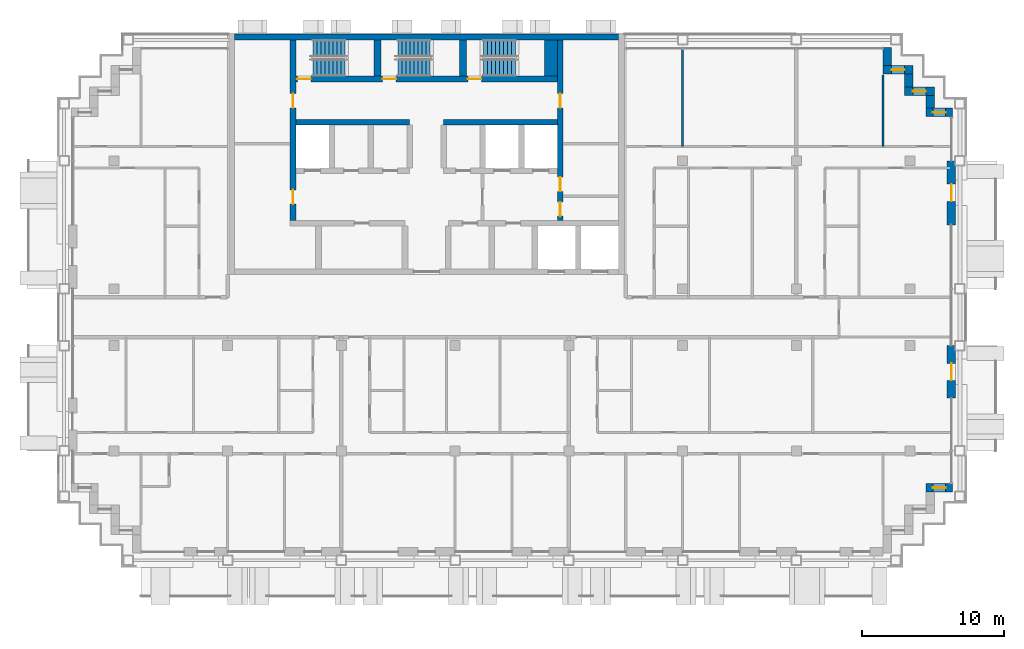
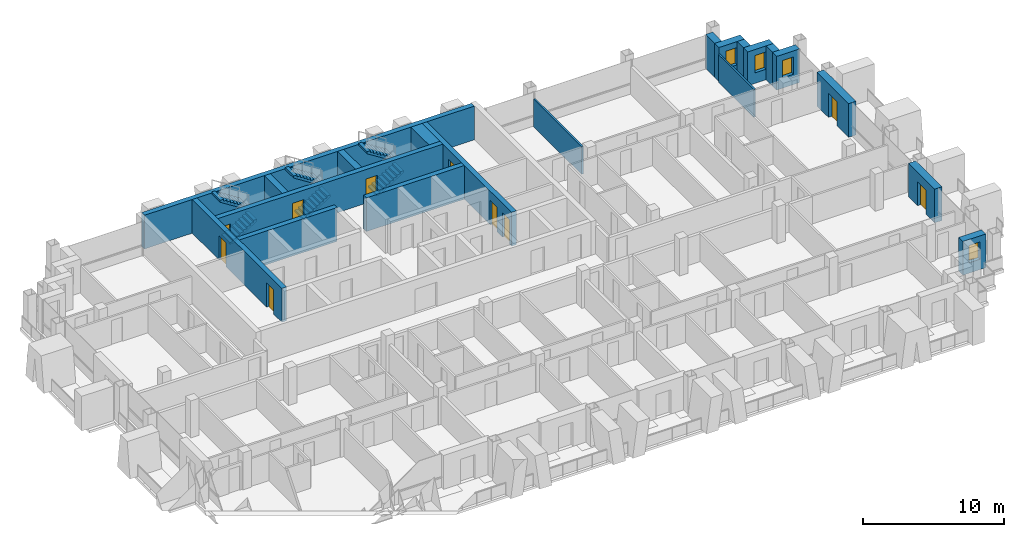
# One storey, part 12 of 16: 20 walls, 10 doors, 6 stair flights, 4 windows, 14 openings, 3 elements without a shape of their own.
"""IFC4 building model written with IfcOpenShell, lengths in metres."""

from ifc_helpers import new_model, si_unit, direction, frame, frame_2d, origin, place, context, subcontext, project, spatial, polyline, rectangle, outline, extrude, material, layer, layer_set, type_object, element, fill, aggregate, save


model = new_model("IFC4")

# Units and contexts
model_context = context("Model", 3, precision=1e-05, world=origin(), true_north=direction((0.0, 1.0)))
body_context = subcontext(model_context, "Body", "Model", "MODEL_VIEW")
ifc_project = project(units=[si_unit("LENGTHUNIT", "METRE"), si_unit("AREAUNIT", "SQUARE_METRE"), si_unit("VOLUMEUNIT", "CUBIC_METRE"), si_unit("PLANEANGLEUNIT", "RADIAN"), si_unit("MASSUNIT", "GRAM", prefix="KILO")], contexts=[model_context])

# Site, building, storey
site_placement = place(None, origin())
site = spatial("IfcSite", under=ifc_project, at=site_placement, CompositionType="ELEMENT")
building_placement = place(site_placement, origin())
building = spatial("IfcBuilding", under=site, at=building_placement, Name="Vidyagriha Tower", CompositionType="ELEMENT")
storey_placement = place(building_placement, frame((0.0, 0.0, 171.699951171875)))
storey = spatial("IfcBuildingStorey", under=building, at=storey_placement, Name="L44", CompositionType="ELEMENT", Elevation=171.699951171875)

# Wall, opening, window
ifc_material_1 = material(Name="Precast concrete C40/50 with brick facing", Category="concrete")
ifc_layer_1 = layer(ifc_material_1, 0.60009765625)
ifc_layer_set_1 = layer_set([ifc_layer_1], Name="Precast concrete C40/50 with brick facing")
wall_type_1 = type_object("IfcWallType", Name="Brick-faced precast wall 600", PredefinedType="STANDARD", material=ifc_layer_set_1)
wall_1_placement = place(storey_placement, frame((36.97998046875, 14.39990234375, 0.0), z_axis=(0.0, 0.0, 1.0), x_axis=(-1.0, 0.0, 0.0)))
wall_1 = element("IfcWall", 1, at=wall_1_placement, inside=storey, type_object=wall_type_1, Name="Stepped corner wall L44 R01", PredefinedType="STANDARD", context=body_context, shape_type="SweptSolid", body=[
    extrude(rectangle(XDim=1.8798828125, YDim=0.60009765625, at=frame_2d((0.93994140625, 0.0))), origin(), (0.0, 0.0, 1.0), 2.920166015625),
])
opening_1_placement = place(wall_1_placement, frame((0.489990234375, 0.0, 0.89990234375)))
opening_1 = element("IfcOpeningElement", 2, at=opening_1_placement, cuts=wall_1, Name="Opening WN1", PredefinedType="OPENING", context=body_context, shape_type="SweptSolid", body=[
    extrude(rectangle(XDim=0.89990234375, YDim=1.5, at=frame_2d((0.449951171875, 0.75))), frame((0.0, 0.31005859375, 0.0), z_axis=(0.0, -1.0, 0.0), x_axis=(1.0, 0.0, 0.0)), (0.0, 0.0, 1.0), 0.6201171875),
])
ifc_material_2 = material(Name="Aluminium and glass window", Category="aluminium")
window_type = type_object("IfcWindowType", Name="Reveal window 900x1500", PartitioningType="NOTDEFINED", PredefinedType="WINDOW", material=ifc_material_2)
window_1_placement = place(opening_1_placement, origin())
window_1 = element("IfcWindow", 3, at=window_1_placement, inside=storey, type_object=window_type, Name="Reveal window L44 R01", OverallHeight=1.5, OverallWidth=0.89990234375, PartitioningType="SINGLE_PANEL", PredefinedType="WINDOW", context=body_context, shape_type="SweptSolid", body=[
    extrude(rectangle(XDim=0.89990234375, YDim=1.5, at=frame_2d((0.449951171875, 0.75))), frame((0.0, 0.030029296875, 0.0), z_axis=(0.0, -1.0, 0.0), x_axis=(1.0, 0.0, 0.0)), (0.0, 0.0, 1.0), 0.06005859375),
])
fill(opening_1, window_1)

# Wall
wall_2_placement = place(storey_placement, frame((35.39990234375, 14.699951171875, 0.0), z_axis=(0.0, 0.0, 1.0), x_axis=(0.0, 1.0, 0.0)))
element("IfcWall", 4, at=wall_2_placement, inside=storey, type_object=wall_type_1, Name="Stepped corner wall L44 R02", PredefinedType="STANDARD", context=body_context, shape_type="SweptSolid", body=[
    extrude(rectangle(XDim=0.900146484375, YDim=0.60009765625, at=frame_2d((0.4501953125, 0.0))), origin(), (0.0, 0.0, 1.0), 2.920166015625),
])

# Wall, opening, window
wall_3_placement = place(storey_placement, frame((35.699951171875, 15.89990234375, 0.0), z_axis=(0.0, 0.0, 1.0), x_axis=(-1.0, 0.0, 0.0)))
wall_3 = element("IfcWall", 5, at=wall_3_placement, inside=storey, type_object=wall_type_1, Name="Stepped corner wall L44 R03", PredefinedType="STANDARD", context=body_context, shape_type="SweptSolid", body=[
    extrude(rectangle(XDim=2.099853515625, YDim=0.60009765625, at=frame_2d((1.0498046875, 0.0))), origin(), (0.0, 0.0, 1.0), 2.920166015625),
])
opening_2_placement = place(wall_3_placement, frame((0.60009765625, 0.0, 0.89990234375)))
opening_2 = element("IfcOpeningElement", 6, at=opening_2_placement, cuts=wall_3, Name="Opening WN1", PredefinedType="OPENING", context=body_context, shape_type="SweptSolid", body=[
    extrude(rectangle(XDim=0.89990234375, YDim=1.5, at=frame_2d((0.449951171875, 0.75))), frame((0.0, 0.31005859375, 0.0), z_axis=(0.0, -1.0, 0.0), x_axis=(1.0, 0.0, 0.0)), (0.0, 0.0, 1.0), 0.6201171875),
])
window_2_placement = place(opening_2_placement, origin())
window_2 = element("IfcWindow", 7, at=window_2_placement, inside=storey, type_object=window_type, Name="Reveal window L44 R03", OverallHeight=1.5, OverallWidth=0.89990234375, PartitioningType="SINGLE_PANEL", PredefinedType="WINDOW", context=body_context, shape_type="SweptSolid", body=[
    extrude(rectangle(XDim=0.89990234375, YDim=1.5, at=frame_2d((0.449951171875, 0.75))), frame((0.0, 0.030029296875, 0.0), z_axis=(0.0, -1.0, 0.0), x_axis=(1.0, 0.0, 0.0)), (0.0, 0.0, 1.0), 0.06005859375),
])
fill(opening_2, window_2)

# Wall
wall_4_placement = place(storey_placement, frame((33.89990234375, 16.199951171875, 0.0), z_axis=(0.0, 0.0, 1.0), x_axis=(0.0, 1.0, 0.0)))
element("IfcWall", 8, at=wall_4_placement, inside=storey, type_object=wall_type_1, Name="Stepped corner wall L44 R04", PredefinedType="STANDARD", context=body_context, shape_type="SweptSolid", body=[
    extrude(rectangle(XDim=0.900146484375, YDim=0.60009765625, at=frame_2d((0.4501953125, 0.0))), origin(), (0.0, 0.0, 1.0), 2.920166015625),
])

# Wall, opening, window
wall_5_placement = place(storey_placement, frame((34.199951171875, 17.39990234375, 0.0), z_axis=(0.0, 0.0, 1.0), x_axis=(-1.0, 0.0, 0.0)))
wall_5 = element("IfcWall", 9, at=wall_5_placement, inside=storey, type_object=wall_type_1, Name="Stepped corner wall L44 R05", PredefinedType="STANDARD", context=body_context, shape_type="SweptSolid", body=[
    extrude(rectangle(XDim=2.099853515625, YDim=0.60009765625, at=frame_2d((1.0498046875, 0.0))), origin(), (0.0, 0.0, 1.0), 2.920166015625),
])
opening_3_placement = place(wall_5_placement, frame((0.60009765625, 0.0, 0.89990234375)))
opening_3 = element("IfcOpeningElement", 10, at=opening_3_placement, cuts=wall_5, Name="Opening WN1", PredefinedType="OPENING", context=body_context, shape_type="SweptSolid", body=[
    extrude(rectangle(XDim=0.89990234375, YDim=1.5, at=frame_2d((0.449951171875, 0.75))), frame((0.0, 0.31005859375, 0.0), z_axis=(0.0, -1.0, 0.0), x_axis=(1.0, 0.0, 0.0)), (0.0, 0.0, 1.0), 0.6201171875),
])
window_3_placement = place(opening_3_placement, origin())
window_3 = element("IfcWindow", 11, at=window_3_placement, inside=storey, type_object=window_type, Name="Reveal window L44 R05", OverallHeight=1.5, OverallWidth=0.89990234375, PartitioningType="SINGLE_PANEL", PredefinedType="WINDOW", context=body_context, shape_type="SweptSolid", body=[
    extrude(rectangle(XDim=0.89990234375, YDim=1.5, at=frame_2d((0.449951171875, 0.75))), frame((0.0, 0.030029296875, 0.0), z_axis=(0.0, -1.0, 0.0), x_axis=(1.0, 0.0, 0.0)), (0.0, 0.0, 1.0), 0.06005859375),
])
fill(opening_3, window_3)

# Wall
wall_6_placement = place(storey_placement, frame((32.39990234375, 17.699951171875, 0.0), z_axis=(0.0, 0.0, 1.0), x_axis=(0.0, 1.0, 0.0)))
element("IfcWall", 12, at=wall_6_placement, inside=storey, type_object=wall_type_1, Name="Stepped corner wall L44 R06", PredefinedType="STANDARD", context=body_context, shape_type="SweptSolid", body=[
    extrude(rectangle(XDim=1.280029296875, YDim=0.60009765625, at=frame_2d((0.64013671875, 0.0))), origin(), (0.0, 0.0, 1.0), 2.920166015625),
])

# Wall, opening, window
wall_7_placement = place(storey_placement, frame((35.10009765625, -12.0, 0.0)))
wall_7 = element("IfcWall", 13, at=wall_7_placement, inside=storey, type_object=wall_type_1, Name="Stepped corner wall L44 R29", PredefinedType="STANDARD", context=body_context, shape_type="SweptSolid", body=[
    extrude(rectangle(XDim=1.8798828125, YDim=0.60009765625, at=frame_2d((0.93994140625, 0.0))), origin(), (0.0, 0.0, 1.0), 2.920166015625),
])
opening_4_placement = place(wall_7_placement, frame((0.489990234375, 0.0, 0.89990234375)))
opening_4 = element("IfcOpeningElement", 14, at=opening_4_placement, cuts=wall_7, Name="Opening WN1", PredefinedType="OPENING", context=body_context, shape_type="SweptSolid", body=[
    extrude(rectangle(XDim=0.89990234375, YDim=1.5, at=frame_2d((0.449951171875, 0.75))), frame((0.0, 0.31005859375, 0.0), z_axis=(0.0, -1.0, 0.0), x_axis=(1.0, 0.0, 0.0)), (0.0, 0.0, 1.0), 0.6201171875),
])
window_4_placement = place(opening_4_placement, origin())
window_4 = element("IfcWindow", 15, at=window_4_placement, inside=storey, type_object=window_type, Name="Reveal window L44 R29", OverallHeight=1.5, OverallWidth=0.89990234375, PartitioningType="SINGLE_PANEL", PredefinedType="WINDOW", context=body_context, shape_type="SweptSolid", body=[
    extrude(rectangle(XDim=0.89990234375, YDim=1.5, at=frame_2d((0.449951171875, 0.75))), frame((0.0, 0.030029296875, 0.0), z_axis=(0.0, -1.0, 0.0), x_axis=(1.0, 0.0, 0.0)), (0.0, 0.0, 1.0), 0.06005859375),
])
fill(opening_4, window_4)

# Wall, opening, door
wall_8_placement = place(storey_placement, frame((36.89990234375, -5.699951171875, 0.0), z_axis=(0.0, 0.0, 1.0), x_axis=(0.0, 1.0, 0.0)))
wall_8 = element("IfcWall", 16, at=wall_8_placement, inside=storey, type_object=wall_type_1, Name="Brick door bay wall L44 R30.3", PredefinedType="STANDARD", context=body_context, shape_type="SweptSolid", body=[
    extrude(rectangle(XDim=3.699951171875, YDim=0.60009765625, at=frame_2d((1.85009765625, 0.0))), origin(), (0.0, 0.0, 1.0), 2.920166015625),
])
opening_5_placement = place(wall_8_placement, frame((1.25, 0.0, 0.0)))
opening_5 = element("IfcOpeningElement", 17, at=opening_5_placement, cuts=wall_8, Name="Opening D44-77", PredefinedType="OPENING", context=body_context, shape_type="SweptSolid", body=[
    extrude(rectangle(XDim=1.199951171875, YDim=2.10009765625, at=frame_2d((0.60009765625, 1.050048828125))), frame((0.0, 0.31005859375, 0.0), z_axis=(0.0, -1.0, 0.0), x_axis=(1.0, 0.0, 0.0)), (0.0, 0.0, 1.0), 0.6201171875),
])
ifc_material_3 = material(Name="Aluminium framed glazed sliding door", Category="aluminium")
door_type_1 = type_object("IfcDoorType", Name="Balcony sliding door 1200x2100", OperationType="NOTDEFINED", PredefinedType="DOOR", material=ifc_material_3)
door_1_placement = place(opening_5_placement, origin())
door_1 = element("IfcDoor", 18, at=door_1_placement, inside=storey, type_object=door_type_1, Name="Door D44-77", OperationType="SLIDING_TO_LEFT", OverallHeight=2.10009765625, OverallWidth=1.199951171875, PredefinedType="DOOR", context=body_context, shape_type="SweptSolid", body=[
    extrude(rectangle(XDim=1.199951171875, YDim=2.10009765625, at=frame_2d((0.60009765625, 1.050048828125))), frame((0.0, 0.02490234375, 0.0), z_axis=(0.0, -1.0, 0.0), x_axis=(1.0, 0.0, 0.0)), (0.0, 0.0, 1.0), 0.050048828125),
])
fill(opening_5, door_1)

wall_9_placement = place(storey_placement, frame((36.89990234375, 6.5, 0.0), z_axis=(0.0, 0.0, 1.0), x_axis=(0.0, 1.0, 0.0)))
wall_9 = element("IfcWall", 19, at=wall_9_placement, inside=storey, type_object=wall_type_1, Name="Brick door bay wall L44 R30.6", PredefinedType="STANDARD", context=body_context, shape_type="SweptSolid", body=[
    extrude(rectangle(XDim=4.5, YDim=0.60009765625, at=frame_2d((2.25, 0.0))), origin(), (0.0, 0.0, 1.0), 2.920166015625),
])
opening_6_placement = place(wall_9_placement, frame((1.64990234375, 0.0, 0.0)))
opening_6 = element("IfcOpeningElement", 20, at=opening_6_placement, cuts=wall_9, Name="Opening D44-78", PredefinedType="OPENING", context=body_context, shape_type="SweptSolid", body=[
    extrude(rectangle(XDim=1.199951171875, YDim=2.10009765625, at=frame_2d((0.60009765625, 1.050048828125))), frame((0.0, 0.31005859375, 0.0), z_axis=(0.0, -1.0, 0.0), x_axis=(1.0, 0.0, 0.0)), (0.0, 0.0, 1.0), 0.6201171875),
])
door_2_placement = place(opening_6_placement, origin())
door_2 = element("IfcDoor", 21, at=door_2_placement, inside=storey, type_object=door_type_1, Name="Door D44-78", OperationType="SLIDING_TO_LEFT", OverallHeight=2.10009765625, OverallWidth=1.199951171875, PredefinedType="DOOR", context=body_context, shape_type="SweptSolid", body=[
    extrude(rectangle(XDim=1.199951171875, YDim=2.10009765625, at=frame_2d((0.60009765625, 1.050048828125))), frame((0.0, 0.02490234375, 0.0), z_axis=(0.0, -1.0, 0.0), x_axis=(1.0, 0.0, 0.0)), (0.0, 0.0, 1.0), 0.050048828125),
])
fill(opening_6, door_2)

# Wall
ifc_material_4 = material(Name="Concrete C60/75", Category="concrete")
ifc_layer_2 = layer(ifc_material_4, 0.39990234375)
ifc_layer_set_2 = layer_set([ifc_layer_2], Name="Concrete C60/75")
wall_type_2 = type_object("IfcWallType", Name="Core shear wall 400 mm", PredefinedType="SHEAR", material=ifc_layer_set_2)
wall_10_placement = place(storey_placement, frame((-13.5, 19.699951171875, 0.0)))
element("IfcWall", 22, at=wall_10_placement, inside=storey, type_object=wall_type_2, Name="Core north wall", PredefinedType="SHEAR", context=body_context, shape_type="SweptSolid", body=[
    extrude(rectangle(XDim=27.0, YDim=0.39990234375, at=frame_2d((13.5, 0.0))), origin(), (0.0, 0.0, 1.0), 2.920166015625),
])

# Wall, openings, doors
wall_11_placement = place(storey_placement, frame((-9.39990234375, 6.800048828125, 0.0), z_axis=(0.0, 0.0, 1.0), x_axis=(0.0, 1.0, 0.0)))
wall_11 = element("IfcWall", 23, at=wall_11_placement, inside=storey, type_object=wall_type_2, Name="Core west spine wall", PredefinedType="SHEAR", context=body_context, shape_type="SweptSolid", body=[
    extrude(rectangle(XDim=12.699951171875, YDim=0.39990234375, at=frame_2d((6.35009765625, 0.0))), origin(), (0.0, 0.0, 1.0), 2.920166015625),
])
opening_7_placement = place(wall_11_placement, frame((1.14990234375, 0.0, 0.0)))
opening_7 = element("IfcOpeningElement", 24, at=opening_7_placement, cuts=wall_11, Name="Opening D44-12", PredefinedType="OPENING", context=body_context, shape_type="SweptSolid", body=[
    extrude(rectangle(XDim=1.0, YDim=2.10009765625, at=frame_2d((0.5, 1.050048828125))), frame((0.0, 0.2099609375, 0.0), z_axis=(0.0, -1.0, 0.0), x_axis=(1.0, 0.0, 0.0)), (0.0, 0.0, 1.0), 0.419921875),
])
opening_8_placement = place(wall_11_placement, frame((7.925048828125, 0.0, 0.0)))
opening_8 = element("IfcOpeningElement", 25, at=opening_8_placement, cuts=wall_11, Name="Opening D44-13", PredefinedType="OPENING", context=body_context, shape_type="SweptSolid", body=[
    extrude(rectangle(XDim=1.0, YDim=2.10009765625, at=frame_2d((0.5, 1.050048828125))), frame((0.0, 0.2099609375, 0.0), z_axis=(0.0, -1.0, 0.0), x_axis=(1.0, 0.0, 0.0)), (0.0, 0.0, 1.0), 0.419921875),
])
ifc_material_5 = material(Name="Hollow metal door leaf")
door_type_2 = type_object("IfcDoorType", Name="Core room door 1000 x 2100 mm EI 60", OperationType="NOTDEFINED", PredefinedType="DOOR", material=ifc_material_5)
door_3_placement = place(opening_7_placement, frame((1.0, 0.0, 0.0), z_axis=(0.0, 0.0, 1.0), x_axis=(-1.0, 0.0, 0.0)))
door_3 = element("IfcDoor", 26, at=door_3_placement, inside=storey, type_object=door_type_2, Name="Door Communications Room 44.W1", OperationType="SINGLE_SWING_RIGHT", OverallHeight=2.10009765625, OverallWidth=1.0, PredefinedType="DOOR", context=body_context, shape_type="SweptSolid", body=[
    extrude(rectangle(XDim=1.0, YDim=2.10009765625, at=frame_2d((0.5, 1.050048828125))), frame((0.0, 0.02490234375, 0.0), z_axis=(0.0, -1.0, 0.0), x_axis=(1.0, 0.0, 0.0)), (0.0, 0.0, 1.0), 0.050048828125),
])
fill(opening_7, door_3)
door_4_placement = place(opening_8_placement, frame((1.0, 0.0, 0.0), z_axis=(0.0, 0.0, 1.0), x_axis=(-1.0, 0.0, 0.0)))
door_4 = element("IfcDoor", 27, at=door_4_placement, inside=storey, type_object=door_type_2, Name="Door Riser Room 44.W2", OperationType="SINGLE_SWING_LEFT", OverallHeight=2.10009765625, OverallWidth=1.0, PredefinedType="DOOR", context=body_context, shape_type="SweptSolid", body=[
    extrude(rectangle(XDim=1.0, YDim=2.10009765625, at=frame_2d((0.5, 1.050048828125))), frame((0.0, 0.02490234375, 0.0), z_axis=(0.0, -1.0, 0.0), x_axis=(1.0, 0.0, 0.0)), (0.0, 0.0, 1.0), 0.050048828125),
])
fill(opening_8, door_4)

wall_12_placement = place(storey_placement, frame((9.39990234375, 6.800048828125, 0.0), z_axis=(0.0, 0.0, 1.0), x_axis=(0.0, 1.0, 0.0)))
wall_12 = element("IfcWall", 28, at=wall_12_placement, inside=storey, type_object=wall_type_2, Name="Core east spine wall", PredefinedType="SHEAR", context=body_context, shape_type="SweptSolid", body=[
    extrude(rectangle(XDim=12.699951171875, YDim=0.39990234375, at=frame_2d((6.35009765625, 0.0))), origin(), (0.0, 0.0, 1.0), 2.920166015625),
])
opening_9_placement = place(wall_12_placement, frame((0.300048828125, 0.0, 0.0)))
opening_9 = element("IfcOpeningElement", 29, at=opening_9_placement, cuts=wall_12, Name="Opening D44-14", PredefinedType="OPENING", context=body_context, shape_type="SweptSolid", body=[
    extrude(rectangle(XDim=1.0, YDim=2.10009765625, at=frame_2d((0.5, 1.050048828125))), frame((0.0, 0.2099609375, 0.0), z_axis=(0.0, -1.0, 0.0), x_axis=(1.0, 0.0, 0.0)), (0.0, 0.0, 1.0), 0.419921875),
])
opening_10_placement = place(wall_12_placement, frame((2.050048828125, 0.0, 0.0)))
opening_10 = element("IfcOpeningElement", 30, at=opening_10_placement, cuts=wall_12, Name="Opening D44-15", PredefinedType="OPENING", context=body_context, shape_type="SweptSolid", body=[
    extrude(rectangle(XDim=1.0, YDim=2.10009765625, at=frame_2d((0.5, 1.050048828125))), frame((0.0, 0.2099609375, 0.0), z_axis=(0.0, -1.0, 0.0), x_axis=(1.0, 0.0, 0.0)), (0.0, 0.0, 1.0), 0.419921875),
])
opening_11_placement = place(wall_12_placement, frame((7.925048828125, 0.0, 0.0)))
opening_11 = element("IfcOpeningElement", 31, at=opening_11_placement, cuts=wall_12, Name="Opening D44-16", PredefinedType="OPENING", context=body_context, shape_type="SweptSolid", body=[
    extrude(rectangle(XDim=1.0, YDim=2.10009765625, at=frame_2d((0.5, 1.050048828125))), frame((0.0, 0.2099609375, 0.0), z_axis=(0.0, -1.0, 0.0), x_axis=(1.0, 0.0, 0.0)), (0.0, 0.0, 1.0), 0.419921875),
])
door_5_placement = place(opening_9_placement, origin())
door_5 = element("IfcDoor", 32, at=door_5_placement, inside=storey, type_object=door_type_2, Name="Door Refuse Room 44.E1", OperationType="SINGLE_SWING_RIGHT", OverallHeight=2.10009765625, OverallWidth=1.0, PredefinedType="DOOR", context=body_context, shape_type="SweptSolid", body=[
    extrude(rectangle(XDim=1.0, YDim=2.10009765625, at=frame_2d((0.5, 1.050048828125))), frame((0.0, 0.02490234375, 0.0), z_axis=(0.0, -1.0, 0.0), x_axis=(1.0, 0.0, 0.0)), (0.0, 0.0, 1.0), 0.050048828125),
])
fill(opening_9, door_5)
door_6_placement = place(opening_10_placement, origin())
door_6 = element("IfcDoor", 33, at=door_6_placement, inside=storey, type_object=door_type_2, Name="Door Mechanical Riser Room 44.E2", OperationType="SINGLE_SWING_LEFT", OverallHeight=2.10009765625, OverallWidth=1.0, PredefinedType="DOOR", context=body_context, shape_type="SweptSolid", body=[
    extrude(rectangle(XDim=1.0, YDim=2.10009765625, at=frame_2d((0.5, 1.050048828125))), frame((0.0, 0.02490234375, 0.0), z_axis=(0.0, -1.0, 0.0), x_axis=(1.0, 0.0, 0.0)), (0.0, 0.0, 1.0), 0.050048828125),
])
fill(opening_10, door_6)
door_7_placement = place(opening_11_placement, origin())
door_7 = element("IfcDoor", 34, at=door_7_placement, inside=storey, type_object=door_type_2, Name="Door Electrical Room 44.E3", OperationType="SINGLE_SWING_LEFT", OverallHeight=2.10009765625, OverallWidth=1.0, PredefinedType="DOOR", context=body_context, shape_type="SweptSolid", body=[
    extrude(rectangle(XDim=1.0, YDim=2.10009765625, at=frame_2d((0.5, 1.050048828125))), frame((0.0, 0.02490234375, 0.0), z_axis=(0.0, -1.0, 0.0), x_axis=(1.0, 0.0, 0.0)), (0.0, 0.0, 1.0), 0.050048828125),
])
fill(opening_11, door_7)

# Walls
for number, where, name in (
    (35, (-9.199951171875, 13.699951171875, 0.0), "Core row N rear wall"),
    (36, (1.199951171875, 13.699951171875, 0.0), "Core row N rear wall"),
):
    element("IfcWall", number, at=place(storey_placement, frame(where)), inside=storey, type_object=wall_type_2, Name=name, PredefinedType="SHEAR", context=body_context, shape_type="SweptSolid", body=[
        extrude(rectangle(XDim=8.0, YDim=0.39990234375, at=frame_2d((4.0, 0.0))), origin(), (0.0, 0.0, 1.0), 2.920166015625),
    ])

# Wall, openings, doors
wall_13_placement = place(storey_placement, frame((-9.199951171875, 16.75, 0.0)))
wall_13 = element("IfcWall", 37, at=wall_13_placement, inside=storey, type_object=wall_type_2, Name="Stair front wall", PredefinedType="SHEAR", context=body_context, shape_type="SweptSolid", body=[
    extrude(rectangle(XDim=18.39990234375, YDim=0.39990234375, at=frame_2d((9.199951171875, 0.0))), origin(), (0.0, 0.0, 1.0), 2.920166015625),
])
opening_12_placement = place(wall_13_placement, frame((0.10009765625, 0.0, 0.0)))
opening_12 = element("IfcOpeningElement", 38, at=opening_12_placement, cuts=wall_13, Name="Opening D44-09", PredefinedType="OPENING", context=body_context, shape_type="SweptSolid", body=[
    extrude(rectangle(XDim=0.949951171875, YDim=2.10009765625, at=frame_2d((0.47509765625, 1.050048828125))), frame((0.0, 0.2099609375, 0.0), z_axis=(0.0, -1.0, 0.0), x_axis=(1.0, 0.0, 0.0)), (0.0, 0.0, 1.0), 0.419921875),
])
opening_13_placement = place(wall_13_placement, frame((6.10009765625, 0.0, 0.0)))
opening_13 = element("IfcOpeningElement", 39, at=opening_13_placement, cuts=wall_13, Name="Opening D44-10", PredefinedType="OPENING", context=body_context, shape_type="SweptSolid", body=[
    extrude(rectangle(XDim=0.949951171875, YDim=2.10009765625, at=frame_2d((0.47509765625, 1.050048828125))), frame((0.0, 0.2099609375, 0.0), z_axis=(0.0, -1.0, 0.0), x_axis=(1.0, 0.0, 0.0)), (0.0, 0.0, 1.0), 0.419921875),
])
opening_14_placement = place(wall_13_placement, frame((12.10009765625, 0.0, 0.0)))
opening_14 = element("IfcOpeningElement", 40, at=opening_14_placement, cuts=wall_13, Name="Opening D44-11", PredefinedType="OPENING", context=body_context, shape_type="SweptSolid", body=[
    extrude(rectangle(XDim=0.949951171875, YDim=2.10009765625, at=frame_2d((0.47509765625, 1.050048828125))), frame((0.0, 0.2099609375, 0.0), z_axis=(0.0, -1.0, 0.0), x_axis=(1.0, 0.0, 0.0)), (0.0, 0.0, 1.0), 0.419921875),
])
ifc_material_6 = material(Name="Hollow metal door leaf")
door_type_3 = type_object("IfcDoorType", Name="Exit stair door 950 x 2100 mm EI 90", OperationType="NOTDEFINED", PredefinedType="DOOR", material=ifc_material_6)
door_8_placement = place(opening_12_placement, origin())
door_8 = element("IfcDoor", 41, at=door_8_placement, inside=storey, type_object=door_type_3, Name="Stair door ST1 L44", OperationType="SINGLE_SWING_LEFT", OverallHeight=2.10009765625, OverallWidth=0.949951171875, PredefinedType="DOOR", context=body_context, shape_type="SweptSolid", body=[
    extrude(rectangle(XDim=0.949951171875, YDim=2.10009765625, at=frame_2d((0.47509765625, 1.050048828125))), frame((0.0, 0.02490234375, 0.0), z_axis=(0.0, -1.0, 0.0), x_axis=(1.0, 0.0, 0.0)), (0.0, 0.0, 1.0), 0.050048828125),
])
fill(opening_12, door_8)
door_9_placement = place(opening_13_placement, origin())
door_9 = element("IfcDoor", 42, at=door_9_placement, inside=storey, type_object=door_type_3, Name="Stair door ST2 L44", OperationType="SINGLE_SWING_LEFT", OverallHeight=2.10009765625, OverallWidth=0.949951171875, PredefinedType="DOOR", context=body_context, shape_type="SweptSolid", body=[
    extrude(rectangle(XDim=0.949951171875, YDim=2.10009765625, at=frame_2d((0.47509765625, 1.050048828125))), frame((0.0, 0.02490234375, 0.0), z_axis=(0.0, -1.0, 0.0), x_axis=(1.0, 0.0, 0.0)), (0.0, 0.0, 1.0), 0.050048828125),
])
fill(opening_13, door_9)
door_10_placement = place(opening_14_placement, origin())
door_10 = element("IfcDoor", 43, at=door_10_placement, inside=storey, type_object=door_type_3, Name="Stair door ST3 L44", OperationType="SINGLE_SWING_LEFT", OverallHeight=2.10009765625, OverallWidth=0.949951171875, PredefinedType="DOOR", context=body_context, shape_type="SweptSolid", body=[
    extrude(rectangle(XDim=0.949951171875, YDim=2.10009765625, at=frame_2d((0.47509765625, 1.050048828125))), frame((0.0, 0.02490234375, 0.0), z_axis=(0.0, -1.0, 0.0), x_axis=(1.0, 0.0, 0.0)), (0.0, 0.0, 1.0), 0.050048828125),
])
fill(opening_14, door_10)

# Walls
ifc_material_7 = material(Name="Concrete C60/75", Category="concrete")
ifc_layer_3 = layer(ifc_material_7, 0.5)
ifc_layer_set_3 = layer_set([ifc_layer_3], Name="Concrete C60/75")
wall_type_3 = type_object("IfcWallType", Name="Core shear wall 500 mm", PredefinedType="SHEAR", material=ifc_layer_set_3)
for number, where, z_axis, x_axis, name in (
    (44, (-3.449951171875, 16.949951171875, 0.0), (0.0, 0.0, 1.0), (0.0, 1.0, 0.0), "Stair partition wall 1"),
    (45, (2.550048828125, 16.949951171875, 0.0), (0.0, 0.0, 1.0), (0.0, 1.0, 0.0), "Stair partition wall 2"),
):
    element("IfcWall", number, at=place(storey_placement, frame(where, z_axis=z_axis, x_axis=x_axis)), inside=storey, type_object=wall_type_3, Name=name, PredefinedType="SHEAR", context=body_context, shape_type="SweptSolid", body=[
        extrude(rectangle(XDim=2.550048828125, YDim=0.5, at=frame_2d((1.27490234375, 0.0))), origin(), (0.0, 0.0, 1.0), 2.920166015625),
    ])
ifc_material_8 = material(Name="Concrete C60/75", Category="concrete")
ifc_layer_4 = layer(ifc_material_8, 0.89990234375)
ifc_layer_set_4 = layer_set([ifc_layer_4], Name="Concrete C60/75")
wall_type_4 = type_object("IfcWallType", Name="Core shear wall 900 mm", PredefinedType="SHEAR", material=ifc_layer_set_4)
wall_14_placement = place(storey_placement, frame((8.75, 16.949951171875, 0.0), z_axis=(0.0, 0.0, 1.0), x_axis=(0.0, 1.0, 0.0)))
element("IfcWall", 46, at=wall_14_placement, inside=storey, type_object=wall_type_4, Name="Stair end wall", PredefinedType="SHEAR", context=body_context, shape_type="SweptSolid", body=[
    extrude(rectangle(XDim=2.550048828125, YDim=0.89990234375, at=frame_2d((1.27490234375, 0.0))), origin(), (0.0, 0.0, 1.0), 2.920166015625),
])
ifc_material_9 = material(Name="Gypsum board partition")
ifc_layer_5 = layer(ifc_material_9, 0.14990234375)
ifc_layer_set_5 = layer_set([ifc_layer_5], Name="Gypsum board partition")
wall_type_5 = type_object("IfcWallType", Name="Gypsum board partition 150", PredefinedType="PARTITIONING", material=ifc_layer_set_5)
wall_15_placement = place(storey_placement, frame((18.0, 18.821044921875, 0.0), z_axis=(0.0, 0.0, 1.0), x_axis=(0.0, -1.0, 0.0)))
element("IfcWall", 47, at=wall_15_placement, inside=storey, type_object=wall_type_5, Name="Wall all-L44-w094", PredefinedType="PARTITIONING", context=body_context, shape_type="SweptSolid", body=[
    extrude(rectangle(XDim=6.821044921875, YDim=0.14990234375, at=frame_2d((3.41064453125, 0.0))), origin(), (0.0, 0.0, 1.0), 2.400146484375),
])
wall_16_placement = place(storey_placement, frame((32.10009765625, 17.02001953125, 0.0), z_axis=(0.0, 0.0, 1.0), x_axis=(0.0, -1.0, 0.0)))
element("IfcWall", 48, at=wall_16_placement, inside=storey, type_object=wall_type_5, Name="Wall all-L44-w106", PredefinedType="PARTITIONING", context=body_context, shape_type="SweptSolid", body=[
    extrude(rectangle(XDim=5.02001953125, YDim=0.14990234375, at=frame_2d((2.510009765625, 0.0))), origin(), (0.0, 0.0, 1.0), 2.400146484375),
])

# Stair, stair flights
ifc_material_10 = material(Name="Concrete C40/50", Category="concrete")
stair_type = type_object("IfcStairType", Name="Exit stair, half-turn, precast flights", PredefinedType="HALF_TURN_STAIR", material=ifc_material_10)
stair_1_placement = place(storey_placement, origin())
stair_1 = element("IfcStair", 49, at=stair_1_placement, inside=storey, type_object=stair_type, Name="L44 Exit Stair ST1", PredefinedType="HALF_TURN_STAIR")
ifc_material_11 = material(Name="Precast concrete C40/50", Category="concrete")
stair_flight_type = type_object("IfcStairFlightType", Name="Exit stair flight 1200 mm, precast", PredefinedType="STRAIGHT", material=ifc_material_11)
stair_flight_1_placement = place(storey_placement, frame((-8.0, 17.550048828125, 0.0)))
stair_flight_1 = element("IfcStairFlight", 50, at=stair_flight_1_placement, type_object=stair_flight_type, Name="ST1 flight 1", NumberOfRisers=9, NumberOfTreads=8, PredefinedType="STRAIGHT", RiserHeight=0.177777778, TreadLength=0.28, context=body_context, shape_type="SweptSolid", body=[
    extrude(outline(polyline([(0.0, 0.0), (0.0, 0.177734375), (0.280029296875, 0.177734375), (0.280029296875, 0.35546875), (0.56005859375, 0.35546875), (0.56005859375, 0.533447265625), (0.840087890625, 0.533447265625), (0.840087890625, 0.711181640625), (1.1201171875, 0.711181640625), (1.1201171875, 0.888916015625), (1.39990234375, 0.888916015625), (1.39990234375, 1.066650390625), (1.679931640625, 1.066650390625), (1.679931640625, 1.244384765625), (1.9599609375, 1.244384765625), (1.9599609375, 1.422119140625), (2.239990234375, 1.422119140625), (2.239990234375, 1.60009765625), (2.239990234375, 1.24462890625), (0.27978515625, 0.0), (0.0, 0.0)])), frame((0.0, 0.60009765625, 0.0), z_axis=(0.0, -1.0, 0.0), x_axis=(1.0, 0.0, 0.0)), (0.0, 0.0, 1.0), 1.199951171875),
])
stair_flight_2_placement = place(storey_placement, frame((-5.760009765625, 18.89990234375, 1.60009765625), z_axis=(0.0, 0.0, 1.0), x_axis=(-1.0, 0.0, 0.0)))
stair_flight_2 = element("IfcStairFlight", 51, at=stair_flight_2_placement, type_object=stair_flight_type, Name="ST1 flight 2", NumberOfRisers=9, NumberOfTreads=8, PredefinedType="STRAIGHT", RiserHeight=0.177777778, TreadLength=0.28, context=body_context, shape_type="SweptSolid", body=[
    extrude(outline(polyline([(0.0, 0.0), (0.0, 0.177734375), (0.280029296875, 0.177734375), (0.280029296875, 0.35546875), (0.56005859375, 0.35546875), (0.56005859375, 0.533447265625), (0.840087890625, 0.533447265625), (0.840087890625, 0.711181640625), (1.1201171875, 0.711181640625), (1.1201171875, 0.888916015625), (1.39990234375, 0.888916015625), (1.39990234375, 1.066650390625), (1.679931640625, 1.066650390625), (1.679931640625, 1.244384765625), (1.9599609375, 1.244384765625), (1.9599609375, 1.422119140625), (2.239990234375, 1.422119140625), (2.239990234375, 1.60009765625), (2.239990234375, 1.24462890625), (0.27978515625, 0.0), (0.0, 0.0)])), frame((0.0, 0.60009765625, 0.0), z_axis=(0.0, -1.0, 0.0), x_axis=(1.0, 0.0, 0.0)), (0.0, 0.0, 1.0), 1.199951171875),
])
aggregate(stair_1, [stair_flight_1, stair_flight_2])

stair_2_placement = place(storey_placement, origin())
stair_2 = element("IfcStair", 52, at=stair_2_placement, inside=storey, type_object=stair_type, Name="L44 Exit Stair ST2", PredefinedType="HALF_TURN_STAIR")
stair_flight_3_placement = place(storey_placement, frame((-2.0, 17.550048828125, 0.0)))
stair_flight_3 = element("IfcStairFlight", 53, at=stair_flight_3_placement, type_object=stair_flight_type, Name="ST2 flight 1", NumberOfRisers=9, NumberOfTreads=8, PredefinedType="STRAIGHT", RiserHeight=0.177777778, TreadLength=0.28, context=body_context, shape_type="SweptSolid", body=[
    extrude(outline(polyline([(0.0, 0.0), (0.0, 0.177734375), (0.280029296875, 0.177734375), (0.280029296875, 0.35546875), (0.56005859375, 0.35546875), (0.56005859375, 0.533447265625), (0.840087890625, 0.533447265625), (0.840087890625, 0.711181640625), (1.1201171875, 0.711181640625), (1.1201171875, 0.888916015625), (1.39990234375, 0.888916015625), (1.39990234375, 1.066650390625), (1.679931640625, 1.066650390625), (1.679931640625, 1.244384765625), (1.9599609375, 1.244384765625), (1.9599609375, 1.422119140625), (2.239990234375, 1.422119140625), (2.239990234375, 1.60009765625), (2.239990234375, 1.24462890625), (0.27978515625, 0.0), (0.0, 0.0)])), frame((0.0, 0.60009765625, 0.0), z_axis=(0.0, -1.0, 0.0), x_axis=(1.0, 0.0, 0.0)), (0.0, 0.0, 1.0), 1.199951171875),
])
stair_flight_4_placement = place(storey_placement, frame((0.239990234375, 18.89990234375, 1.60009765625), z_axis=(0.0, 0.0, 1.0), x_axis=(-1.0, 0.0, 0.0)))
stair_flight_4 = element("IfcStairFlight", 54, at=stair_flight_4_placement, type_object=stair_flight_type, Name="ST2 flight 2", NumberOfRisers=9, NumberOfTreads=8, PredefinedType="STRAIGHT", RiserHeight=0.177777778, TreadLength=0.28, context=body_context, shape_type="SweptSolid", body=[
    extrude(outline(polyline([(0.0, 0.0), (0.0, 0.177734375), (0.280029296875, 0.177734375), (0.280029296875, 0.35546875), (0.56005859375, 0.35546875), (0.56005859375, 0.533447265625), (0.840087890625, 0.533447265625), (0.840087890625, 0.711181640625), (1.1201171875, 0.711181640625), (1.1201171875, 0.888916015625), (1.39990234375, 0.888916015625), (1.39990234375, 1.066650390625), (1.679931640625, 1.066650390625), (1.679931640625, 1.244384765625), (1.9599609375, 1.244384765625), (1.9599609375, 1.422119140625), (2.239990234375, 1.422119140625), (2.239990234375, 1.60009765625), (2.239990234375, 1.24462890625), (0.27978515625, 0.0), (0.0, 0.0)])), frame((0.0, 0.60009765625, 0.0), z_axis=(0.0, -1.0, 0.0), x_axis=(1.0, 0.0, 0.0)), (0.0, 0.0, 1.0), 1.199951171875),
])
aggregate(stair_2, [stair_flight_3, stair_flight_4])

stair_3_placement = place(storey_placement, origin())
stair_3 = element("IfcStair", 55, at=stair_3_placement, inside=storey, type_object=stair_type, Name="L44 Exit Stair ST3", PredefinedType="HALF_TURN_STAIR")
stair_flight_5_placement = place(storey_placement, frame((4.0, 17.550048828125, 0.0)))
stair_flight_5 = element("IfcStairFlight", 56, at=stair_flight_5_placement, type_object=stair_flight_type, Name="ST3 flight 1", NumberOfRisers=9, NumberOfTreads=8, PredefinedType="STRAIGHT", RiserHeight=0.177777778, TreadLength=0.28, context=body_context, shape_type="SweptSolid", body=[
    extrude(outline(polyline([(0.0, 0.0), (0.0, 0.177734375), (0.280029296875, 0.177734375), (0.280029296875, 0.35546875), (0.56005859375, 0.35546875), (0.56005859375, 0.533447265625), (0.840087890625, 0.533447265625), (0.840087890625, 0.711181640625), (1.1201171875, 0.711181640625), (1.1201171875, 0.888916015625), (1.39990234375, 0.888916015625), (1.39990234375, 1.066650390625), (1.679931640625, 1.066650390625), (1.679931640625, 1.244384765625), (1.9599609375, 1.244384765625), (1.9599609375, 1.422119140625), (2.239990234375, 1.422119140625), (2.239990234375, 1.60009765625), (2.239990234375, 1.24462890625), (0.27978515625, 0.0), (0.0, 0.0)])), frame((0.0, 0.60009765625, 0.0), z_axis=(0.0, -1.0, 0.0), x_axis=(1.0, 0.0, 0.0)), (0.0, 0.0, 1.0), 1.199951171875),
])
stair_flight_6_placement = place(storey_placement, frame((6.239990234375, 18.89990234375, 1.60009765625), z_axis=(0.0, 0.0, 1.0), x_axis=(-1.0, 0.0, 0.0)))
stair_flight_6 = element("IfcStairFlight", 57, at=stair_flight_6_placement, type_object=stair_flight_type, Name="ST3 flight 2", NumberOfRisers=9, NumberOfTreads=8, PredefinedType="STRAIGHT", RiserHeight=0.177777778, TreadLength=0.28, context=body_context, shape_type="SweptSolid", body=[
    extrude(outline(polyline([(0.0, 0.0), (0.0, 0.177734375), (0.280029296875, 0.177734375), (0.280029296875, 0.35546875), (0.56005859375, 0.35546875), (0.56005859375, 0.533447265625), (0.840087890625, 0.533447265625), (0.840087890625, 0.711181640625), (1.1201171875, 0.711181640625), (1.1201171875, 0.888916015625), (1.39990234375, 0.888916015625), (1.39990234375, 1.066650390625), (1.679931640625, 1.066650390625), (1.679931640625, 1.244384765625), (1.9599609375, 1.244384765625), (1.9599609375, 1.422119140625), (2.239990234375, 1.422119140625), (2.239990234375, 1.60009765625), (2.239990234375, 1.24462890625), (0.27978515625, 0.0), (0.0, 0.0)])), frame((0.0, 0.60009765625, 0.0), z_axis=(0.0, -1.0, 0.0), x_axis=(1.0, 0.0, 0.0)), (0.0, 0.0, 1.0), 1.199951171875),
])
aggregate(stair_3, [stair_flight_5, stair_flight_6])

save(model, "model.ifc")
